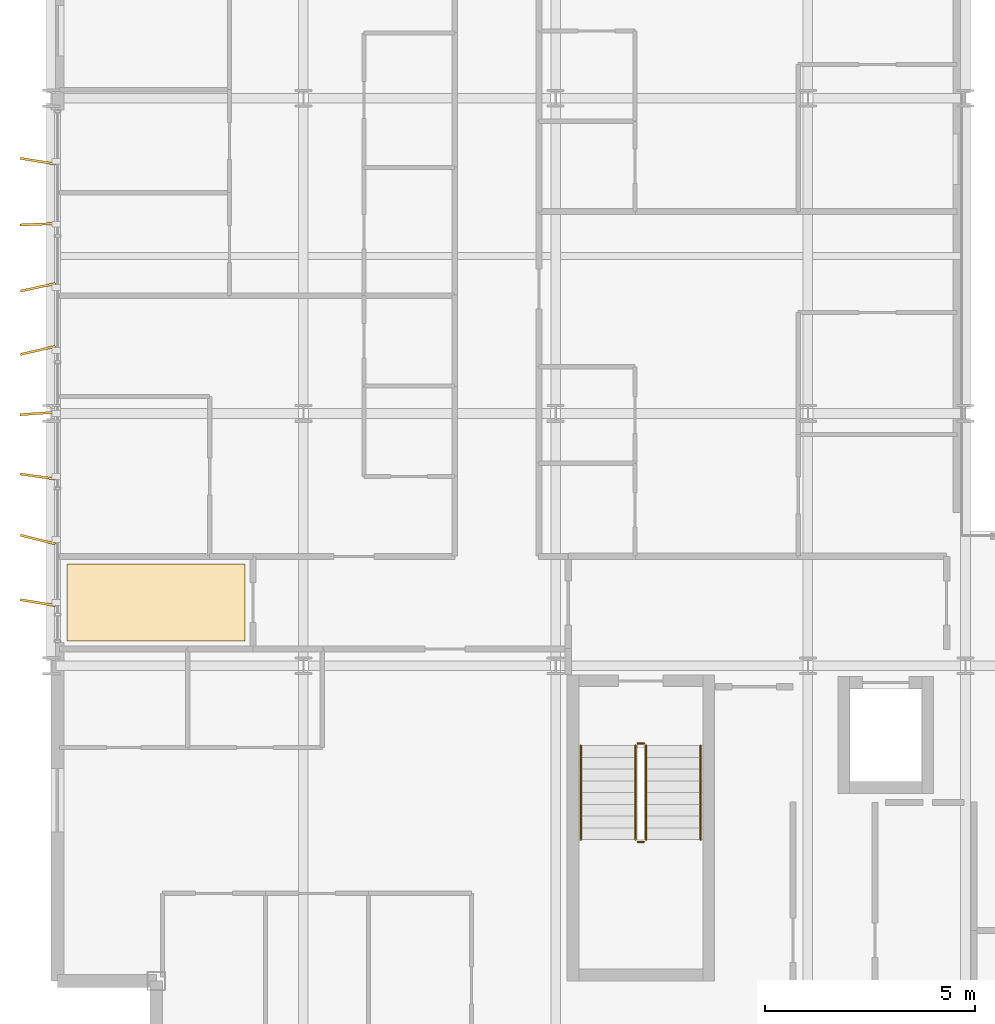
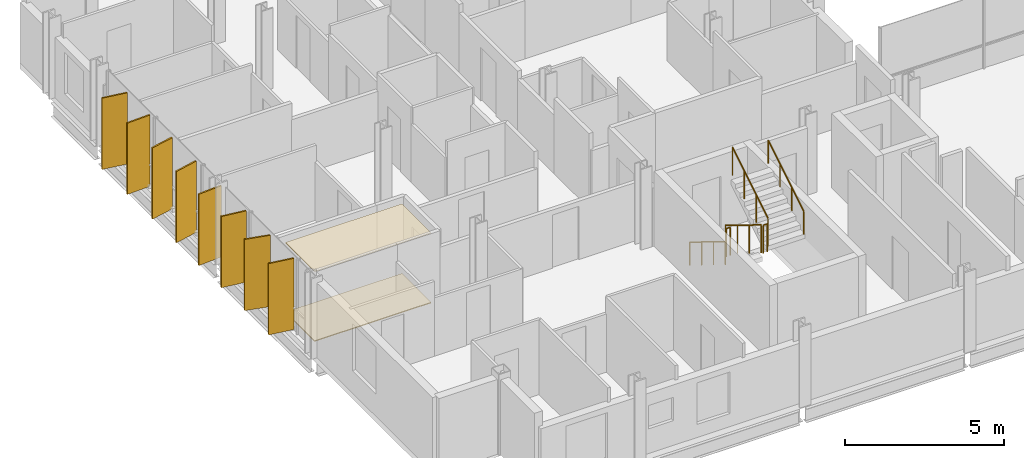
# One storey, part 35 of 38: 8 shading devices, 6 railings, 2 coverings.
"""IFC4 building model written with IfcOpenShell, lengths in metres."""

from ifc_helpers import new_model, si_unit, direction, frame, origin, origin_2d, place, context, subcontext, project, spatial, polyline, rectangle, circle, outline, extrude, material, layer, layer_set, type_object, element, save


model = new_model("IFC4")

# Units and contexts
model_context = context("Model", 3, precision=1e-05, world=origin(), true_north=direction((0.0, 1.0)))
body_context = subcontext(model_context, "Body", "Model", "MODEL_VIEW")
ifc_project = project(units=[si_unit("LENGTHUNIT", "METRE"), si_unit("AREAUNIT", "SQUARE_METRE"), si_unit("VOLUMEUNIT", "CUBIC_METRE"), si_unit("PLANEANGLEUNIT", "RADIAN"), si_unit("MASSUNIT", "GRAM", prefix="KILO")], contexts=[model_context])

# Site, building, storey
site_placement = place(None, origin())
site = spatial("IfcSite", under=ifc_project, at=site_placement, CompositionType="ELEMENT")
building_placement = place(site_placement, origin())
building = spatial("IfcBuilding", under=site, at=building_placement, Name="Brevholm Reach", CompositionType="ELEMENT")
storey_placement = place(building_placement, frame((0.0, 0.0, 128.300048828125)))
storey = spatial("IfcBuildingStorey", under=building, at=storey_placement, Name="L38", CompositionType="ELEMENT", Elevation=128.300048828125)

# Coverings
ifc_material_1 = material(Name="Moisture-Resistant Skimmed Gypsum Plasterboard Ceiling", Category="gypsum")
ifc_layer_1 = layer(ifc_material_1, 0.030029296875)
ifc_layer_set_1 = layer_set([ifc_layer_1], Name="Moisture-Resistant Skimmed Gypsum Plasterboard Ceiling")
covering_type_1 = type_object("IfcCoveringType", Name="COV-CLG-GYP", PredefinedType="CEILING", material=ifc_layer_set_1)
covering_1_placement = place(storey_placement, frame((0.0, 0.0, 2.679931640625)))
element("IfcCovering", 1, at=covering_1_placement, inside=storey, type_object=covering_type_1, Name="L38 Suspended Ceiling L38-31", PredefinedType="CEILING", context=body_context, shape_type="SweptSolid", body=[
    extrude(outline(polyline([(0.3798828125, 12.419921875), (4.615966796875, 12.419921875), (4.615966796875, 10.583984375), (0.3798828125, 10.583984375), (0.3798828125, 12.419921875)])), origin(), (0.0, 0.0, 1.0), 0.030029296875),
])
ifc_material_2 = material(Name="Honed Portland-Aggregate Resin Terrazzo Flooring", Category="concrete")
ifc_layer_2 = layer(ifc_material_2, 0.031982421875)
ifc_layer_set_2 = layer_set([ifc_layer_2], Name="Honed Portland-Aggregate Resin Terrazzo Flooring")
covering_type_2 = type_object("IfcCoveringType", Name="COV-FLR-TRZ", PredefinedType="FLOORING", material=ifc_layer_set_2)
covering_2_placement = place(storey_placement, origin())
element("IfcCovering", 2, at=covering_2_placement, inside=storey, type_object=covering_type_2, Name="L38 Floor Finish L38-31", PredefinedType="FLOORING", context=body_context, shape_type="SweptSolid", body=[
    extrude(outline(polyline([(0.3798828125, 12.419921875), (4.615966796875, 12.419921875), (4.615966796875, 10.583984375), (0.3798828125, 10.583984375), (0.3798828125, 12.419921875)])), origin(), (0.0, 0.0, 1.0), 0.031982421875),
])

# Railings
ifc_material_3 = material(Name="Brushed Stainless Steel EN 1.4401 Continuous Handrail", Category="steel")
railing_type_1 = type_object("IfcRailingType", Name="RAL-HND-950", PredefinedType="HANDRAIL", material=ifc_material_3)
railing_1_placement = place(storey_placement, frame((12.60009765625, 8.10009765625, 0.172119140625)))
element("IfcRailing", 3, at=railing_1_placement, inside=storey, type_object=railing_type_1, Name="L38 ST-1 stair handrail 1", PredefinedType="HANDRAIL", context=body_context, shape_type="SweptSolid", body=[
    extrude(circle(Radius=0.02392578125, at=origin_2d()), frame((0.0, 0.0, 0.8857421875), z_axis=(0.0, -0.851747552033, 0.523952390591), x_axis=(1.0, 0.0, 0.0)), (0.0, 0.0, 1.0), 2.6298828125),
    extrude(circle(Radius=0.02099609375, at=origin_2d()), origin(), (0.0, 0.0, 1.0), 0.86181640625),
    extrude(circle(Radius=0.02099609375, at=origin_2d()), frame((0.0, -0.74658203125, 0.459228515625)), (0.0, 0.0, 1.0), 0.86181640625),
    extrude(circle(Radius=0.02099609375, at=origin_2d()), frame((0.0, -1.493408203125, 0.918701171875)), (0.0, 0.0, 1.0), 0.86181640625),
    extrude(circle(Radius=0.02099609375, at=origin_2d()), frame((0.0, -2.239990234375, 1.3779296875)), (0.0, 0.0, 1.0), 0.86181640625),
])
railing_2_placement = place(storey_placement, frame((15.449951171875, 5.860107421875, 1.72216796875)))
element("IfcRailing", 4, at=railing_2_placement, inside=storey, type_object=railing_type_1, Name="L38 ST-1 stair handrail 2", PredefinedType="HANDRAIL", context=body_context, shape_type="SweptSolid", body=[
    extrude(circle(Radius=0.02392578125, at=origin_2d()), frame((0.0, 0.0, 0.8857421875), z_axis=(0.0, 0.85178898068, 0.523885037382), x_axis=(-1.0, 0.0, 0.0)), (0.0, 0.0, 1.0), 2.629638671875),
    extrude(circle(Radius=0.02099609375, at=origin_2d()), origin(), (0.0, 0.0, 1.0), 0.86181640625),
    extrude(circle(Radius=0.02099609375, at=origin_2d()), frame((0.0, 0.74658203125, 0.459228515625)), (0.0, 0.0, 1.0), 0.86181640625),
    extrude(circle(Radius=0.02099609375, at=origin_2d()), frame((0.0, 1.493408203125, 0.91845703125)), (0.0, 0.0, 1.0), 0.86181640625),
    extrude(circle(Radius=0.02099609375, at=origin_2d()), frame((0.0, 2.239990234375, 1.377685546875)), (0.0, 0.0, 1.0), 0.86181640625),
])
ifc_material_4 = material(Name="Painted Tubular Galvanised Steel S275JR Stair Guard", Category="steel")
railing_type_2 = type_object("IfcRailingType", Name="RAL-STG-1120", PredefinedType="BALUSTRADE", material=ifc_material_4)
railing_3_placement = place(storey_placement, frame((13.89990234375, 8.10009765625, 0.172119140625)))
element("IfcRailing", 5, at=railing_3_placement, inside=storey, type_object=railing_type_2, Name="L38 ST-1 stair guard 1", PredefinedType="BALUSTRADE", context=body_context, shape_type="SweptSolid", body=[
    extrude(circle(Radius=0.02392578125, at=origin_2d()), frame((0.0, 0.0, 1.076171875), z_axis=(0.0, -0.851747552033, 0.523952390591), x_axis=(1.0, 0.0, 0.0)), (0.0, 0.0, 1.0), 2.6298828125),
    extrude(circle(Radius=0.02099609375, at=origin_2d()), origin(), (0.0, 0.0, 1.0), 1.052001953125),
    extrude(circle(Radius=0.02099609375, at=origin_2d()), frame((0.0, -0.74658203125, 0.459228515625)), (0.0, 0.0, 1.0), 1.052001953125),
    extrude(circle(Radius=0.02099609375, at=origin_2d()), frame((0.0, -1.493408203125, 0.918701171875)), (0.0, 0.0, 1.0), 1.052001953125),
    extrude(circle(Radius=0.02099609375, at=origin_2d()), frame((0.0, -2.239990234375, 1.3779296875)), (0.0, 0.0, 1.0), 1.052001953125),
])
railing_4_placement = place(storey_placement, frame((13.949951171875, 5.81005859375, 1.550048828125)))
element("IfcRailing", 6, at=railing_4_placement, inside=storey, type_object=railing_type_2, Name="L38 ST-1 stair guard 2", PredefinedType="BALUSTRADE", context=body_context, shape_type="SweptSolid", body=[
    extrude(circle(Radius=0.02392578125, at=origin_2d()), frame((0.0, 0.0, 1.076171875), z_axis=(1.0, 0.0, 0.0), x_axis=(0.0, 1.0, 0.0)), (0.0, 0.0, 1.0), 0.150146484375),
    extrude(circle(Radius=0.02099609375, at=origin_2d()), origin(), (0.0, 0.0, 1.0), 1.052001953125),
    extrude(circle(Radius=0.02099609375, at=origin_2d()), frame((0.150146484375, 0.0, 0.0)), (0.0, 0.0, 1.0), 1.052001953125),
])
railing_5_placement = place(storey_placement, frame((14.14990234375, 5.860107421875, 1.72216796875)))
element("IfcRailing", 7, at=railing_5_placement, inside=storey, type_object=railing_type_2, Name="L38 ST-1 stair guard 3", PredefinedType="BALUSTRADE", context=body_context, shape_type="SweptSolid", body=[
    extrude(circle(Radius=0.02392578125, at=origin_2d()), frame((0.0, 0.0, 1.076171875), z_axis=(0.0, 0.85178898068, 0.523885037382), x_axis=(-1.0, 0.0, 0.0)), (0.0, 0.0, 1.0), 2.629638671875),
    extrude(circle(Radius=0.02099609375, at=origin_2d()), origin(), (0.0, 0.0, 1.0), 1.052001953125),
    extrude(circle(Radius=0.02099609375, at=origin_2d()), frame((0.0, 0.74658203125, 0.459228515625)), (0.0, 0.0, 1.0), 1.052001953125),
    extrude(circle(Radius=0.02099609375, at=origin_2d()), frame((0.0, 1.493408203125, 0.91845703125)), (0.0, 0.0, 1.0), 1.052001953125),
    extrude(circle(Radius=0.02099609375, at=origin_2d()), frame((0.0, 2.239990234375, 1.377685546875)), (0.0, 0.0, 1.0), 1.052001953125),
])
railing_6_placement = place(storey_placement, frame((13.949951171875, 8.14990234375, 0.0)))
element("IfcRailing", 8, at=railing_6_placement, inside=storey, type_object=railing_type_2, Name="L38 ST-1 stair guard 4", PredefinedType="BALUSTRADE", context=body_context, shape_type="SweptSolid", body=[
    extrude(circle(Radius=0.02392578125, at=origin_2d()), frame((0.0, 0.0, 1.076171875), z_axis=(1.0, 0.0, 0.0), x_axis=(0.0, 1.0, 0.0)), (0.0, 0.0, 1.0), 0.150146484375),
    extrude(circle(Radius=0.02099609375, at=origin_2d()), origin(), (0.0, 0.0, 1.0), 1.052001953125),
    extrude(circle(Radius=0.02099609375, at=origin_2d()), frame((0.150146484375, 0.0, 0.0)), (0.0, 0.0, 1.0), 1.052001953125),
])

# Shading devices
ifc_material_5 = material(Name="Perforated Champagne-Bronze Anodised Aluminium", Category="aluminium")
ifc_layer_3 = layer(ifc_material_5, 0.054931640625)
ifc_layer_set_3 = layer_set([ifc_layer_3], Name="Perforated Champagne-Bronze Anodised Aluminium")
shading_device_type = type_object("IfcShadingDeviceType", Name="SHD-FIN-850", PredefinedType="USERDEFINED", material=ifc_layer_set_3)
for number, where, z_axis, x_axis, name in (
    (9, (-0.31494140625, 11.5, 0.06982421875), (0.0, 0.0, 1.0), (-0.986646174997, 0.162878253195, 0.0), "L38 Perforated Solar Screen Fin 1"),
    (10, (-0.31494140625, 13.0, 0.06982421875), (0.0, 0.0, 1.0), (-0.970405407044, 0.241481564473, 0.0), "L38 Perforated Solar Screen Fin 2"),
    (11, (-0.31494140625, 14.5, 0.06982421875), (0.0, 0.0, 1.0), (-0.990141351424, 0.14007178231, 0.0), "L38 Perforated Solar Screen Fin 3"),
    (12, (-0.31494140625, 16.0, 0.06982421875), (0.0, 0.0, 1.0), (-0.997643742091, -0.068607316424, 0.0), "L38 Perforated Solar Screen Fin 4"),
    (13, (-0.31494140625, 17.5, 0.06982421875), (0.0, 0.0, 1.0), (-0.97453861424, -0.224219734534, 0.0), "L38 Perforated Solar Screen Fin 5"),
    (14, (-0.31494140625, 19.0, 0.06982421875), (0.0, 0.0, 1.0), (-0.977327289016, -0.211734196916, 0.0), "L38 Perforated Solar Screen Fin 6"),
    (15, (-0.31494140625, 20.5, 0.06982421875), (0.0, 0.0, 1.0), (-0.999204867351, -0.039870202679, 0.0), "L38 Perforated Solar Screen Fin 7"),
    (16, (-0.31494140625, 22.0, 0.06982421875), (0.0, 0.0, 1.0), (-0.986646174997, 0.162878253195, 0.0), "L38 Perforated Solar Screen Fin 8"),
):
    element("IfcShadingDevice", number, at=place(storey_placement, frame(where, z_axis=z_axis, x_axis=x_axis)), inside=storey, type_object=shading_device_type, Name=name, ObjectType="SCREEN", PredefinedType="USERDEFINED", context=body_context, shape_type="SweptSolid", body=[
        extrude(rectangle(XDim=0.85009765625, YDim=0.054931640625, at=origin_2d()), origin(), (0.0, 0.0, 1.0), 2.739990234375),
    ])

save(model, "model.ifc")
